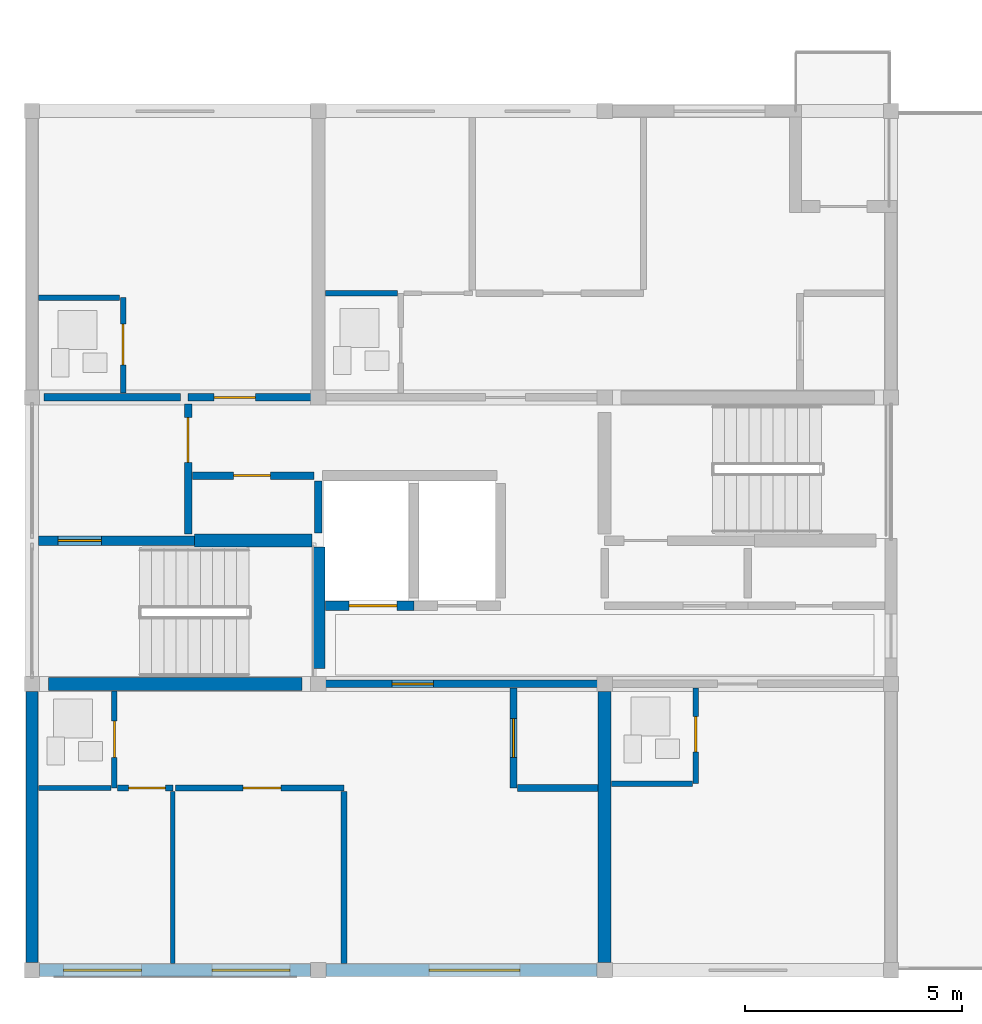
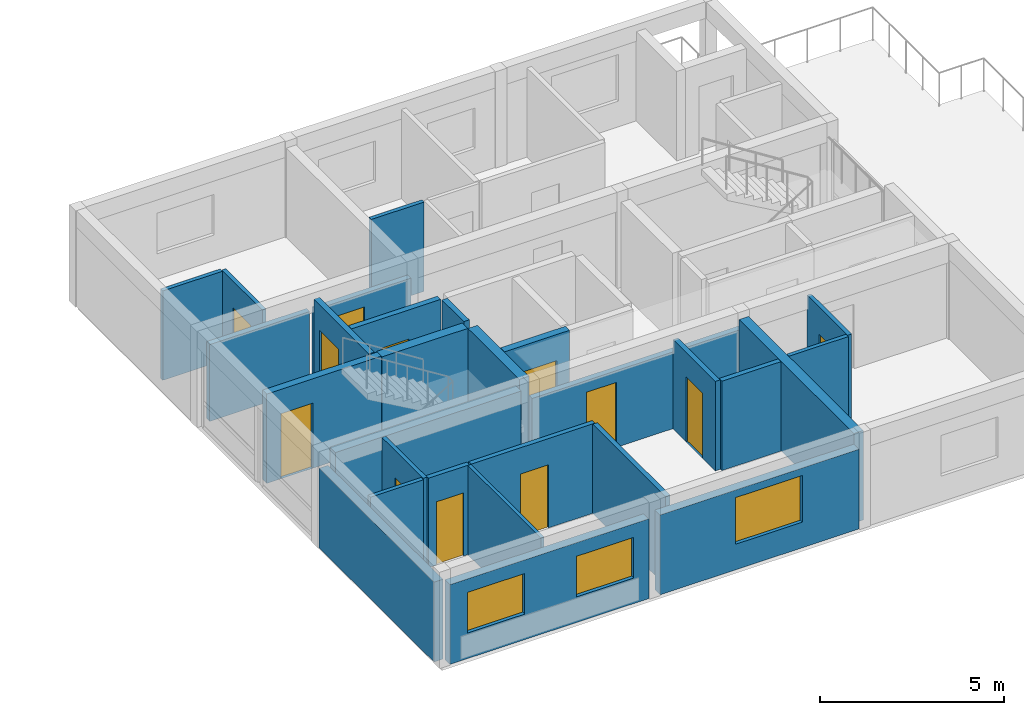
# One storey, part 25 of 46: 28 walls, 12 doors, 3 windows, 15 openings.
"""IFC4 building model written with IfcOpenShell, lengths in metres."""

import ifcopenshell
import ifcopenshell.guid

model = None  # the IFC model being written
_history = None  # IfcOwnerHistory: only IFC2X3 demands one
_inside = {}  # id of a spatial element -> (the spatial element, [elements in it])
_under = {}  # id of a project, library or spatial element -> (it, [spatial elements below it])
_declared = {}  # id of a project -> (the project, [libraries it declares])
_typed = {}  # id of a type object -> (the type object, [elements of that type])
_made_of = {}  # id of a material, layer set ... -> (it, [elements and type objects made of it])


def new_model(schema):
    """Start an empty IFC model of exactly this schema.

    Asked for "IFC4X3", IfcOpenShell would pick the latest addendum, in which some entities
    have other attributes; the version numbers below select the first issue.
    IFC2X3 requires an IfcOwnerHistory on every rooted entity: one is made here for all.
    """
    global model, _history
    if schema == "IFC4X3":
        model = ifcopenshell.file(schema_version=(4, 3, 0, 0))
    else:
        model = ifcopenshell.file(schema=schema)
    _inside.clear()
    _under.clear()
    _declared.clear()
    _typed.clear()
    _made_of.clear()
    _history = None
    if model.schema == "IFC2X3":
        org = make("IfcOrganization", Name="unknown")
        user = make(
            "IfcPersonAndOrganization",
            ThePerson=make("IfcPerson", FamilyName="unknown"),
            TheOrganization=org,
        )
        app = make(
            "IfcApplication",
            ApplicationDeveloper=org,
            Version="unknown",
            ApplicationFullName="unknown",
            ApplicationIdentifier="unknown",
        )
        _history = make(
            "IfcOwnerHistory",
            OwningUser=user,
            OwningApplication=app,
            ChangeAction="ADDED",
            CreationDate=0,
        )
    return model


def make(cls, **values):
    """One entity of the class cls with the attributes given. An attribute that is None is left unset."""
    return model.create_entity(
        cls, **{name: value for name, value in values.items() if value is not None}
    )


def rooted(cls, **values):
    """An entity with a GlobalId (a new one), such as an element, a storey or a relation."""
    return make(cls, GlobalId=ifcopenshell.guid.new(), OwnerHistory=_history, **values)


def si_unit(unit_type, name, prefix=None):
    """IfcSIUnit, for example si_unit("LENGTHUNIT", "METRE", prefix="MILLI")."""
    return make("IfcSIUnit", UnitType=unit_type, Prefix=prefix, Name=name)


def assignment(units):
    """IfcUnitAssignment: the units of a project."""
    return None if units is None else make("IfcUnitAssignment", Units=units)


def point(xyz):
    """IfcCartesianPoint."""
    return None if xyz is None else make("IfcCartesianPoint", Coordinates=xyz)


def direction(xyz):
    """IfcDirection."""
    return None if xyz is None else make("IfcDirection", DirectionRatios=xyz)


def frame(location, z_axis=None, x_axis=None):
    """IfcAxis2Placement3D, a coordinate frame: its origin and axes. An axis left out is left unset."""
    return make(
        "IfcAxis2Placement3D",
        Location=point(location),
        Axis=direction(z_axis),
        RefDirection=direction(x_axis),
    )


def frame_2d(location, x_axis=None):
    """IfcAxis2Placement2D, a coordinate frame in the plane: its origin and x axis."""
    return make(
        "IfcAxis2Placement2D", Location=point(location), RefDirection=direction(x_axis)
    )


def origin():
    """The frame at (0, 0, 0) with its axes left unset."""
    return frame((0.0, 0.0, 0.0))


def place(relative_to, where):
    """IfcLocalPlacement: puts the frame where relative to a parent placement (None: the world)."""
    return make(
        "IfcLocalPlacement", PlacementRelTo=relative_to, RelativePlacement=where
    )


def context(
    kind, dimensions, precision=None, world=None, true_north=None, identifier=None
):
    """IfcGeometricRepresentationContext, for example the 3D "Model" context."""
    return make(
        "IfcGeometricRepresentationContext",
        ContextIdentifier=identifier,
        ContextType=kind,
        CoordinateSpaceDimension=dimensions,
        Precision=precision,
        WorldCoordinateSystem=world,
        TrueNorth=true_north,
    )


def subcontext(parent, identifier, kind, view, scale=None):
    """IfcGeometricRepresentationSubContext, for example "Body" below "Model"."""
    return make(
        "IfcGeometricRepresentationSubContext",
        ContextIdentifier=identifier,
        ContextType=kind,
        ParentContext=parent,
        TargetScale=scale,
        TargetView=view,
    )


def project(units=None, contexts=None):
    """IfcProject with its units and contexts."""
    return rooted(
        "IfcProject",
        Name="project",
        RepresentationContexts=contexts,
        UnitsInContext=assignment(units),
    )


def spatial(cls, under=None, at=None, **own):
    """A site, building, storey or space (cls), placed at a placement, below another one or the project."""
    s = rooted(cls, ObjectPlacement=at, **own)
    if under is not None:
        _under.setdefault(under.id(), (under, []))[1].append(s)
    return s


def profile(cls, at=None, kind="AREA", **sizes):
    """A parametric profile (cls). Its sizes go by their IFC names, for example OverallWidth=200.0."""
    return make(cls, ProfileType=kind, Position=at, **sizes)


def rectangle(**sizes):
    """IfcRectangleProfileDef."""
    return profile("IfcRectangleProfileDef", **sizes)


def extrude(swept, where, along, depth):
    """IfcExtrudedAreaSolid: the profile swept, set in the frame where, extruded along a direction by depth."""
    return make(
        "IfcExtrudedAreaSolid",
        SweptArea=swept,
        Position=where,
        ExtrudedDirection=direction(along),
        Depth=depth,
    )


def shape(context_of_items, identifier, shape_type, items):
    """IfcShapeRepresentation: the items that make up one representation, for example the "Body"."""
    return make(
        "IfcShapeRepresentation",
        ContextOfItems=context_of_items,
        RepresentationIdentifier=identifier,
        RepresentationType=shape_type,
        Items=items,
    )


def material(Name=None, Category=None):
    """IfcMaterial."""
    return make("IfcMaterial", Name=Name, Category=Category)


def layer(
    of_material, thickness, ventilated=None, Name=None, Category=None, Priority=None
):
    """IfcMaterialLayer: one layer of a wall or slab, of a material (None: an air gap)."""
    return make(
        "IfcMaterialLayer",
        Material=of_material,
        LayerThickness=thickness,
        IsVentilated=ventilated,
        Name=Name,
        Category=Category,
        Priority=Priority,
    )


def layer_set(layers, Name=None):
    """IfcMaterialLayerSet."""
    return make("IfcMaterialLayerSet", MaterialLayers=layers, LayerSetName=Name)


def made_of(thing, what):
    """Note that an element or type object is made of a material, layer set ...; save() writes the relation."""
    if what is not None:
        _made_of.setdefault(what.id(), (what, []))[1].append(thing)
    return thing


def type_object(cls, material=None, **own):
    """A type object (cls), such as IfcWallType, which elements share."""
    return made_of(rooted(cls, **own), material)


def element(
    cls,
    number,
    at=None,
    inside=None,
    cuts=None,
    type_object=None,
    material=None,
    context=None,
    identifier="Body",
    shape_type=None,
    held_by="IfcProductDefinitionShape",
    body=None,
    shapes=None,
    **own,
):
    """One element of the class cls, such as IfcWall. Its Tag is "e" and its number.

    at: its placement. inside: the storey or other place that contains it. cuts: it is an
    opening in that element (IfcRelVoidsElement). A single representation is given by context,
    identifier, shape_type and body (its items); several are given by shapes. held_by: the class
    of the entity that holds the representations. save() writes the other relations.
    """
    e = rooted(cls, Tag="e%d" % number, ObjectPlacement=at, **own)
    if body is not None:
        shapes = [shape(context, identifier, shape_type, body)]
    if shapes is not None:
        e.Representation = make(held_by, Representations=shapes)
    if inside is not None:
        _inside.setdefault(inside.id(), (inside, []))[1].append(e)
    if cuts is not None:
        rooted(
            "IfcRelVoidsElement", RelatingBuildingElement=cuts, RelatedOpeningElement=e
        )
    if type_object is not None:
        _typed.setdefault(type_object.id(), (type_object, []))[1].append(e)
    return made_of(e, material)


def fill(opening, filler):
    """IfcRelFillsElement: the door or window that sits in an opening."""
    return rooted(
        "IfcRelFillsElement",
        RelatingOpeningElement=opening,
        RelatedBuildingElement=filler,
    )


def aggregate(whole, parts):
    """IfcRelAggregates: a whole, such as a stair, and the parts it consists of."""
    return rooted("IfcRelAggregates", RelatingObject=whole, RelatedObjects=parts)


def save(model, path):
    """Write the relations noted so far, then the file.

    IfcRelAggregates (storeys below a building ...), IfcRelContainedInSpatialStructure (elements
    in a storey), IfcRelDefinesByType, IfcRelAssociatesMaterial and IfcRelDeclares: one each for
    every whole, place, type object, material and project.
    """
    for whole, parts in _under.values():
        aggregate(whole, parts)
    for where, things in _inside.values():
        rooted(
            "IfcRelContainedInSpatialStructure",
            RelatedElements=things,
            RelatingStructure=where,
        )
    for kind, things in _typed.values():
        rooted("IfcRelDefinesByType", RelatedObjects=things, RelatingType=kind)
    for what, things in _made_of.values():
        rooted("IfcRelAssociatesMaterial", RelatedObjects=things, RelatingMaterial=what)
    for by, libraries in _declared.values():
        rooted("IfcRelDeclares", RelatingContext=by, RelatedDefinitions=libraries)
    model.write(path)


model = new_model("IFC4")

# Units and contexts
model_context = context("Model", 3, precision=1e-05, world=origin(), true_north=direction((0.0, 1.0)))
body_context = subcontext(model_context, "Body", "Model", "MODEL_VIEW")
ifc_project = project(units=[si_unit("LENGTHUNIT", "METRE"), si_unit("AREAUNIT", "SQUARE_METRE"), si_unit("VOLUMEUNIT", "CUBIC_METRE"), si_unit("PLANEANGLEUNIT", "RADIAN"), si_unit("MASSUNIT", "GRAM", prefix="KILO")], contexts=[model_context])

# Site, building, storey
site_placement = place(None, origin())
site = spatial("IfcSite", under=ifc_project, at=site_placement, CompositionType="ELEMENT")
building_placement = place(site_placement, origin())
building = spatial("IfcBuilding", under=site, at=building_placement, Name="Kernevlak Ridge Housing Community", CompositionType="ELEMENT")
storey_placement = place(building_placement, frame((0.0, 0.0, 27.60009765625)))
storey = spatial("IfcBuildingStorey", under=building, at=storey_placement, Name="L08", CompositionType="ELEMENT", Elevation=27.60009765625)

# Wall, openings, windows
ifc_material_1 = material(Name="Concrete block masonry M10", Category="masonry")
ifc_layer_1 = layer(ifc_material_1, 0.280029296875, Name="Concrete block masonry M10")
ifc_layer_set_1 = layer_set([ifc_layer_1], Name="Concrete block masonry M10")
wall_type_1 = type_object("IfcWallType", Name="EW-03", PredefinedType="STANDARD", material=ifc_layer_set_1)
wall_1_placement = place(storey_placement, frame((15.77490234375, 15.60009765625, 0.0), z_axis=(0.0, 0.0, 1.0), x_axis=(1.0, 0.0, 0.0)))
wall_1 = element("IfcWall", 1, at=wall_1_placement, inside=storey, type_object=wall_type_1, Name="Exterior wall EW-03 L08 823", PredefinedType="STANDARD", context=body_context, shape_type="SweptSolid", body=[
    extrude(rectangle(XDim=6.25, YDim=0.280029296875, at=frame_2d((3.125, 0.0))), origin(), (0.0, 0.0, 1.0), 2.64990234375),
])
opening_1_placement = place(wall_1_placement, frame((0.550048828125, 0.0, 0.85009765625)))
opening_1 = element("IfcOpeningElement", 2, at=opening_1_placement, cuts=wall_1, Name="Opening WT-03", PredefinedType="OPENING", context=body_context, shape_type="SweptSolid", body=[
    extrude(rectangle(XDim=1.800048828125, YDim=1.35009765625, at=frame_2d((0.89990234375, 0.675048828125))), frame((0.0, 0.14990234375, 0.0), z_axis=(0.0, -1.0, 0.0), x_axis=(1.0, 0.0, 0.0)), (0.0, 0.0, 1.0), 0.300048828125),
])
opening_2_placement = place(wall_1_placement, frame((3.97509765625, 0.0, 0.85009765625)))
opening_2 = element("IfcOpeningElement", 3, at=opening_2_placement, cuts=wall_1, Name="Opening WT-03", PredefinedType="OPENING", context=body_context, shape_type="SweptSolid", body=[
    extrude(rectangle(XDim=1.800048828125, YDim=1.35009765625, at=frame_2d((0.89990234375, 0.675048828125))), frame((0.0, 0.14990234375, 0.0), z_axis=(0.0, -1.0, 0.0), x_axis=(1.0, 0.0, 0.0)), (0.0, 0.0, 1.0), 0.300048828125),
])
ifc_material_2 = material(Name="Aluminium EN AW-6060 anodised and laminated glass", Category="aluminium")
window_type_1 = type_object("IfcWindowType", Name="WT-03", PartitioningType="SINGLE_PANEL", PredefinedType="WINDOW", material=ifc_material_2)
window_1_placement = place(opening_1_placement, origin())
window_1 = element("IfcWindow", 4, at=window_1_placement, inside=storey, type_object=window_type_1, Name="Window WT-03 L08 683", OverallHeight=1.35009765625, OverallWidth=1.800048828125, PartitioningType="SINGLE_PANEL", PredefinedType="WINDOW", context=body_context, shape_type="SweptSolid", body=[
    extrude(rectangle(XDim=1.800048828125, YDim=1.35009765625, at=frame_2d((0.89990234375, 0.675048828125))), frame((0.0, 0.030029296875, 0.0), z_axis=(0.0, -1.0, 0.0), x_axis=(1.0, 0.0, 0.0)), (0.0, 0.0, 1.0), 0.06005859375),
])
fill(opening_1, window_1)
window_2_placement = place(opening_2_placement, origin())
window_2 = element("IfcWindow", 5, at=window_2_placement, inside=storey, type_object=window_type_1, Name="Window WT-03 L08 684", OverallHeight=1.35009765625, OverallWidth=1.800048828125, PartitioningType="SINGLE_PANEL", PredefinedType="WINDOW", context=body_context, shape_type="SweptSolid", body=[
    extrude(rectangle(XDim=1.800048828125, YDim=1.35009765625, at=frame_2d((0.89990234375, 0.675048828125))), frame((0.0, 0.030029296875, 0.0), z_axis=(0.0, -1.0, 0.0), x_axis=(1.0, 0.0, 0.0)), (0.0, 0.0, 1.0), 0.06005859375),
])
fill(opening_2, window_2)

# Wall, opening, window
wall_2_placement = place(storey_placement, frame((22.375, 15.60009765625, 0.0), z_axis=(0.0, 0.0, 1.0), x_axis=(1.0, 0.0, 0.0)))
wall_2 = element("IfcWall", 6, at=wall_2_placement, inside=storey, type_object=wall_type_1, Name="Exterior wall EW-03 L08 824", PredefinedType="STANDARD", context=body_context, shape_type="SweptSolid", body=[
    extrude(rectangle(XDim=6.25, YDim=0.280029296875, at=frame_2d((3.125, 0.0))), origin(), (0.0, 0.0, 1.0), 2.64990234375),
])
opening_3_placement = place(wall_2_placement, frame((2.37109375, 0.0, 0.85009765625)))
opening_3 = element("IfcOpeningElement", 7, at=opening_3_placement, cuts=wall_2, Name="Opening WT-05", PredefinedType="OPENING", context=body_context, shape_type="SweptSolid", body=[
    extrude(rectangle(XDim=2.10009765625, YDim=1.550048828125, at=frame_2d((1.050048828125, 0.77490234375))), frame((0.0, 0.14990234375, 0.0), z_axis=(0.0, -1.0, 0.0), x_axis=(1.0, 0.0, 0.0)), (0.0, 0.0, 1.0), 0.300048828125),
])
window_type_2 = type_object("IfcWindowType", Name="WT-05", PartitioningType="SINGLE_PANEL", PredefinedType="WINDOW", material=ifc_material_2)
window_3_placement = place(opening_3_placement, origin())
window_3 = element("IfcWindow", 8, at=window_3_placement, inside=storey, type_object=window_type_2, Name="Window WT-05 L08 685", OverallHeight=1.550048828125, OverallWidth=2.10009765625, PartitioningType="SINGLE_PANEL", PredefinedType="WINDOW", context=body_context, shape_type="SweptSolid", body=[
    extrude(rectangle(XDim=2.10009765625, YDim=1.550048828125, at=frame_2d((1.050048828125, 0.77490234375))), frame((0.0, 0.030029296875, 0.0), z_axis=(0.0, -1.0, 0.0), x_axis=(1.0, 0.0, 0.0)), (0.0, 0.0, 1.0), 0.06005859375),
])
fill(opening_3, window_3)

# Wall
wall_3_placement = place(storey_placement, frame((15.60009765625, 15.77490234375, 0.0), z_axis=(0.0, 0.0, 1.0), x_axis=(0.0, 1.0, 0.0)))
element("IfcWall", 9, at=wall_3_placement, inside=storey, type_object=wall_type_1, Name="Exterior wall EW-03 L08 831", PredefinedType="STANDARD", context=body_context, shape_type="SweptSolid", body=[
    extrude(rectangle(XDim=6.25, YDim=0.280029296875, at=frame_2d((3.125, 0.0))), origin(), (0.0, 0.0, 1.0), 2.64990234375),
])

# Wall, opening, door
ifc_material_3 = material(Name="Concrete C35/45", Category="concrete")
ifc_layer_2 = layer(ifc_material_3, 0.22509765625, Name="Concrete C35/45")
ifc_layer_set_2 = layer_set([ifc_layer_2], Name="Concrete C35/45")
wall_type_2 = type_object("IfcWallType", Name="PW-01", PredefinedType="STANDARD", material=ifc_layer_set_2)
wall_4_placement = place(storey_placement, frame((15.75, 25.5, 0.0), z_axis=(0.0, 0.0, 1.0), x_axis=(1.0, 0.0, 0.0)))
wall_4 = element("IfcWall", 10, at=wall_4_placement, inside=storey, type_object=wall_type_2, Name="Interior wall PW-01 WAL-INT-L08-3419", PredefinedType="STANDARD", context=body_context, shape_type="SweptSolid", body=[
    extrude(rectangle(XDim=3.60009765625, YDim=0.22509765625, at=frame_2d((1.800048828125, 0.0))), origin(), (0.0, 0.0, 1.0), 2.969970703125),
])
opening_4_placement = place(wall_4_placement, frame((0.449951171875, 0.0, 0.0)))
opening_4 = element("IfcOpeningElement", 11, at=opening_4_placement, cuts=wall_4, Name="Opening E735", PredefinedType="OPENING", context=body_context, shape_type="SweptSolid", body=[
    extrude(rectangle(XDim=1.0, YDim=2.159912109375, at=frame_2d((0.5, 1.080078125))), frame((0.0, 0.12255859375, 0.0), z_axis=(0.0, -1.0, 0.0), x_axis=(1.0, 0.0, 0.0)), (0.0, 0.0, 1.0), 0.2451171875),
])
ifc_material_4 = material(Name="Fire-rated sheet steel leaf", Category="steel")
door_type_1 = type_object("IfcDoorType", Name="DT-15", OperationType="NOTDEFINED", PredefinedType="DOOR", material=ifc_material_4)
door_1_placement = place(opening_4_placement, origin())
door_1 = element("IfcDoor", 12, at=door_1_placement, inside=storey, type_object=door_type_1, Name="Block D Stair 1 fire door E735", OperationType="SINGLE_SWING_RIGHT", OverallHeight=2.159912109375, OverallWidth=1.0, PredefinedType="DOOR", context=body_context, shape_type="SweptSolid", body=[
    extrude(rectangle(XDim=1.0, YDim=2.159912109375, at=frame_2d((0.5, 1.080078125))), frame((0.0, 0.02490234375, 0.0), z_axis=(0.0, -1.0, 0.0), x_axis=(1.0, 0.0, 0.0)), (0.0, 0.0, 1.0), 0.050048828125),
])
fill(opening_4, door_1)

wall_5_placement = place(storey_placement, frame((22.360107421875, 24.0, 0.0), z_axis=(0.0, 0.0, 1.0), x_axis=(1.0, 0.0, 0.0)))
wall_5 = element("IfcWall", 13, at=wall_5_placement, inside=storey, type_object=wall_type_2, Name="Interior wall PW-01 WAL-INT-L08-3423", PredefinedType="STANDARD", context=body_context, shape_type="SweptSolid", body=[
    extrude(rectangle(XDim=2.039794921875, YDim=0.22509765625, at=frame_2d((1.02001953125, 0.0))), origin(), (0.0, 0.0, 1.0), 2.969970703125),
])
opening_5_placement = place(wall_5_placement, frame((0.550048828125, 0.0, 0.0)))
opening_5 = element("IfcOpeningElement", 14, at=opening_5_placement, cuts=wall_5, Name="Opening LD94", PredefinedType="OPENING", context=body_context, shape_type="SweptSolid", body=[
    extrude(rectangle(XDim=1.10009765625, YDim=2.10009765625, at=frame_2d((0.550048828125, 1.050048828125))), frame((0.0, 0.12255859375, 0.0), z_axis=(0.0, -1.0, 0.0), x_axis=(1.0, 0.0, 0.0)), (0.0, 0.0, 1.0), 0.2451171875),
])
ifc_material_5 = material(Name="Stainless steel EN 1.4401", Category="steel")
door_type_2 = type_object("IfcDoorType", Name="DT-LD1", OperationType="DOUBLE_DOOR_SLIDING", PredefinedType="DOOR", material=ifc_material_5)
door_2_placement = place(opening_5_placement, origin())
door_2 = element("IfcDoor", 15, at=door_2_placement, inside=storey, type_object=door_type_2, Name="Lift LF-D1 landing door LD94", OperationType="DOUBLE_DOOR_SLIDING", OverallHeight=2.10009765625, OverallWidth=1.10009765625, PredefinedType="DOOR", context=body_context, shape_type="SweptSolid", body=[
    extrude(rectangle(XDim=1.10009765625, YDim=2.10009765625, at=frame_2d((0.550048828125, 1.050048828125))), frame((0.0, 0.02490234375, 0.0), z_axis=(0.0, -1.0, 0.0), x_axis=(1.0, 0.0, 0.0)), (0.0, 0.0, 1.0), 0.050048828125),
])
fill(opening_5, door_2)

ifc_layer_3 = layer(ifc_material_1, 0.175048828125, Name="Concrete block masonry M10")
ifc_layer_set_3 = layer_set([ifc_layer_3], Name="Concrete block masonry M10")
wall_type_3 = type_object("IfcWallType", Name="PW-02", PredefinedType="PARTITIONING", material=ifc_layer_set_3)
wall_6_placement = place(storey_placement, frame((19.199951171875, 25.64990234375, 0.0), z_axis=(0.0, 0.0, 1.0), x_axis=(0.0, 1.0, 0.0)))
wall_6 = element("IfcWall", 16, at=wall_6_placement, inside=storey, type_object=wall_type_3, Name="Interior wall PW-02 WAL-INT-L08-3420", PredefinedType="PARTITIONING", context=body_context, shape_type="SweptSolid", body=[
    extrude(rectangle(XDim=3.0, YDim=0.175048828125, at=frame_2d((1.5, 0.0))), origin(), (0.0, 0.0, 1.0), 2.969970703125),
])
opening_6_placement = place(wall_6_placement, frame((1.64990234375, 0.0, 0.0)))
opening_6 = element("IfcOpeningElement", 17, at=opening_6_placement, cuts=wall_6, Name="Opening E736", PredefinedType="OPENING", context=body_context, shape_type="SweptSolid", body=[
    extrude(rectangle(XDim=1.0400390625, YDim=2.1201171875, at=frame_2d((0.52001953125, 1.06005859375))), frame((0.0, 0.097412109375, 0.0), z_axis=(0.0, -1.0, 0.0), x_axis=(1.0, 0.0, 0.0)), (0.0, 0.0, 1.0), 0.195068359375),
])
door_type_3 = type_object("IfcDoorType", Name="DT-16", OperationType="NOTDEFINED", PredefinedType="DOOR", material=ifc_material_4)
door_3_placement = place(opening_6_placement, origin())
door_3 = element("IfcDoor", 18, at=door_3_placement, inside=storey, type_object=door_type_3, Name="Block D Firefighting lobby 1 door E736", OperationType="SINGLE_SWING_LEFT", OverallHeight=2.1201171875, OverallWidth=1.0400390625, PredefinedType="DOOR", context=body_context, shape_type="SweptSolid", body=[
    extrude(rectangle(XDim=1.0400390625, YDim=2.1201171875, at=frame_2d((0.52001953125, 1.06005859375))), frame((0.0, 0.02490234375, 0.0), z_axis=(0.0, -1.0, 0.0), x_axis=(1.0, 0.0, 0.0)), (0.0, 0.0, 1.0), 0.050048828125),
])
fill(opening_6, door_3)

wall_7_placement = place(storey_placement, frame((19.300048828125, 27.0, 0.0), z_axis=(0.0, 0.0, 1.0), x_axis=(1.0, 0.0, 0.0)))
wall_7 = element("IfcWall", 19, at=wall_7_placement, inside=storey, type_object=wall_type_3, Name="Interior wall PW-02 WAL-INT-L08-3421", PredefinedType="PARTITIONING", context=body_context, shape_type="SweptSolid", body=[
    extrude(rectangle(XDim=2.800048828125, YDim=0.175048828125, at=frame_2d((1.39990234375, 0.0))), origin(), (0.0, 0.0, 1.0), 2.969970703125),
])
opening_7_placement = place(wall_7_placement, frame((0.949951171875, 0.0, 0.0)))
opening_7 = element("IfcOpeningElement", 20, at=opening_7_placement, cuts=wall_7, Name="Opening E737", PredefinedType="OPENING", context=body_context, shape_type="SweptSolid", body=[
    extrude(rectangle(XDim=0.85009765625, YDim=2.0, at=frame_2d((0.425048828125, 1.0))), frame((0.0, 0.097412109375, 0.0), z_axis=(0.0, -1.0, 0.0), x_axis=(1.0, 0.0, 0.0)), (0.0, 0.0, 1.0), 0.195068359375),
])
door_type_4 = type_object("IfcDoorType", Name="DT-07", OperationType="NOTDEFINED", PredefinedType="DOOR", material=ifc_material_4)
door_4_placement = place(opening_7_placement, origin())
door_4 = element("IfcDoor", 21, at=door_4_placement, inside=storey, type_object=door_type_4, Name="Block D Riser shaft door E737", OperationType="SINGLE_SWING_RIGHT", OverallHeight=2.0, OverallWidth=0.85009765625, PredefinedType="DOOR", context=body_context, shape_type="SweptSolid", body=[
    extrude(rectangle(XDim=0.85009765625, YDim=2.0, at=frame_2d((0.425048828125, 1.0))), frame((0.0, 0.02490234375, 0.0), z_axis=(0.0, -1.0, 0.0), x_axis=(1.0, 0.0, 0.0)), (0.0, 0.0, 1.0), 0.050048828125),
])
fill(opening_7, door_4)

# Wall
wall_8_placement = place(storey_placement, frame((22.199951171875, 25.679931640625, 0.0), z_axis=(0.0, 0.0, 1.0), x_axis=(0.0, 1.0, 0.0)))
element("IfcWall", 22, at=wall_8_placement, inside=storey, type_object=wall_type_3, Name="Interior wall PW-02 WAL-INT-L08-3422", PredefinedType="PARTITIONING", context=body_context, shape_type="SweptSolid", body=[
    extrude(rectangle(XDim=1.190185546875, YDim=0.175048828125, at=frame_2d((0.59521484375, 0.0))), origin(), (0.0, 0.0, 1.0), 2.969970703125),
])

# Wall, opening, door
wall_9_placement = place(storey_placement, frame((22.199951171875, 22.199951171875, 0.0), z_axis=(0.0, 0.0, 1.0), x_axis=(1.0, 0.0, 0.0)))
wall_9 = element("IfcWall", 23, at=wall_9_placement, inside=storey, type_object=wall_type_3, Name="Interior wall PW-02 WAL-INT-L08-3435", PredefinedType="PARTITIONING", context=body_context, shape_type="SweptSolid", body=[
    extrude(rectangle(XDim=6.60009765625, YDim=0.175048828125, at=frame_2d((3.300048828125, 0.0))), origin(), (0.0, 0.0, 1.0), 2.5498046875),
])
opening_8_placement = place(wall_9_placement, frame((1.699951171875, 0.0, 0.0)))
opening_8 = element("IfcOpeningElement", 24, at=opening_8_placement, cuts=wall_9, Name="Opening E742", PredefinedType="OPENING", context=body_context, shape_type="SweptSolid", body=[
    extrude(rectangle(XDim=0.949951171875, YDim=2.159912109375, at=frame_2d((0.47509765625, 1.080078125))), frame((0.0, 0.097412109375, 0.0), z_axis=(0.0, -1.0, 0.0), x_axis=(1.0, 0.0, 0.0)), (0.0, 0.0, 1.0), 0.195068359375),
])
ifc_material_6 = material(Name="Hardwood timber solid-core fire leaf", Category="wood")
door_type_5 = type_object("IfcDoorType", Name="DT-02", OperationType="NOTDEFINED", PredefinedType="DOOR", material=ifc_material_6)
door_5_placement = place(opening_8_placement, origin())
door_5 = element("IfcDoor", 25, at=door_5_placement, inside=storey, type_object=door_type_5, Name="Flat D0811 entrance fire door E742", OperationType="SINGLE_SWING_LEFT", OverallHeight=2.159912109375, OverallWidth=0.949951171875, PredefinedType="DOOR", context=body_context, shape_type="SweptSolid", body=[
    extrude(rectangle(XDim=0.949951171875, YDim=2.159912109375, at=frame_2d((0.47509765625, 1.080078125))), frame((0.0, 0.02490234375, 0.0), z_axis=(0.0, -1.0, 0.0), x_axis=(1.0, 0.0, 0.0)), (0.0, 0.0, 1.0), 0.050048828125),
])
fill(opening_8, door_5)

# Wall
wall_10_placement = place(storey_placement, frame((15.8798828125, 28.800048828125, 0.0), z_axis=(0.0, 0.0, 1.0), x_axis=(1.0, 0.0, 0.0)))
element("IfcWall", 26, at=wall_10_placement, inside=storey, type_object=wall_type_3, Name="Interior wall PW-02 WAL-INT-L08-3447", PredefinedType="PARTITIONING", context=body_context, shape_type="SweptSolid", body=[
    extrude(rectangle(XDim=3.14013671875, YDim=0.175048828125, at=frame_2d((1.570068359375, 0.0))), origin(), (0.0, 0.0, 1.0), 2.5498046875),
])

# Wall, opening, door
wall_11_placement = place(storey_placement, frame((19.199951171875, 28.800048828125, 0.0), z_axis=(0.0, 0.0, 1.0), x_axis=(1.0, 0.0, 0.0)))
wall_11 = element("IfcWall", 27, at=wall_11_placement, inside=storey, type_object=wall_type_3, Name="Interior wall PW-02 WAL-INT-L08-3448", PredefinedType="PARTITIONING", context=body_context, shape_type="SweptSolid", body=[
    extrude(rectangle(XDim=3.0, YDim=0.175048828125, at=frame_2d((1.5, 0.0))), origin(), (0.0, 0.0, 1.0), 2.5498046875),
])
opening_9_placement = place(wall_11_placement, frame((0.60009765625, 0.0, 0.0)))
opening_9 = element("IfcOpeningElement", 28, at=opening_9_placement, cuts=wall_11, Name="Opening E749", PredefinedType="OPENING", context=body_context, shape_type="SweptSolid", body=[
    extrude(rectangle(XDim=0.949951171875, YDim=2.10009765625, at=frame_2d((0.47509765625, 1.050048828125))), frame((0.0, 0.097412109375, 0.0), z_axis=(0.0, -1.0, 0.0), x_axis=(1.0, 0.0, 0.0)), (0.0, 0.0, 1.0), 0.195068359375),
])
door_type_6 = type_object("IfcDoorType", Name="DT-01", OperationType="NOTDEFINED", PredefinedType="DOOR", material=ifc_material_6)
door_6_placement = place(opening_9_placement, origin())
door_6 = element("IfcDoor", 29, at=door_6_placement, inside=storey, type_object=door_type_6, Name="Flat D0821 entrance fire door E749", OperationType="SINGLE_SWING_RIGHT", OverallHeight=2.10009765625, OverallWidth=0.949951171875, PredefinedType="DOOR", context=body_context, shape_type="SweptSolid", body=[
    extrude(rectangle(XDim=0.949951171875, YDim=2.10009765625, at=frame_2d((0.47509765625, 1.050048828125))), frame((0.0, 0.02490234375, 0.0), z_axis=(0.0, -1.0, 0.0), x_axis=(1.0, 0.0, 0.0)), (0.0, 0.0, 1.0), 0.050048828125),
])
fill(opening_9, door_6)

ifc_layer_4 = layer(ifc_material_1, 0.14501953125, Name="Concrete block masonry M10")
ifc_layer_set_4 = layer_set([ifc_layer_4], Name="Concrete block masonry M10")
wall_type_4 = type_object("IfcWallType", Name="PW-03", PredefinedType="PARTITIONING", material=ifc_layer_set_4)
wall_12_placement = place(storey_placement, frame((17.572509765625, 19.800048828125, 0.0), z_axis=(0.0, 0.0, 1.0), x_axis=(1.0, 0.0, 0.0)))
wall_12 = element("IfcWall", 30, at=wall_12_placement, inside=storey, type_object=wall_type_4, Name="Interior wall PW-03 WAL-INT-L08-3440", PredefinedType="PARTITIONING", context=body_context, shape_type="SweptSolid", body=[
    extrude(rectangle(XDim=1.277587890625, YDim=0.14501953125, at=frame_2d((0.638671875, 0.0))), origin(), (0.0, 0.0, 1.0), 2.969970703125),
])
opening_10_placement = place(wall_12_placement, frame((0.25, 0.0, 0.0)))
opening_10 = element("IfcOpeningElement", 31, at=opening_10_placement, cuts=wall_12, Name="Opening E745", PredefinedType="OPENING", context=body_context, shape_type="SweptSolid", body=[
    extrude(rectangle(XDim=0.85009765625, YDim=2.10009765625, at=frame_2d((0.425048828125, 1.050048828125))), frame((0.0, 0.08251953125, 0.0), z_axis=(0.0, -1.0, 0.0), x_axis=(1.0, 0.0, 0.0)), (0.0, 0.0, 1.0), 0.1650390625),
])
ifc_material_7 = material(Name="Hardwood timber leaf", Category="wood")
door_type_7 = type_object("IfcDoorType", Name="DT-03", OperationType="NOTDEFINED", PredefinedType="DOOR", material=ifc_material_7)
door_7_placement = place(opening_10_placement, origin())
door_7 = element("IfcDoor", 32, at=door_7_placement, inside=storey, type_object=door_type_7, Name="Flat D0811 bedroom door E745", OperationType="SINGLE_SWING_RIGHT", OverallHeight=2.10009765625, OverallWidth=0.85009765625, PredefinedType="DOOR", context=body_context, shape_type="SweptSolid", body=[
    extrude(rectangle(XDim=0.85009765625, YDim=2.10009765625, at=frame_2d((0.425048828125, 1.050048828125))), frame((0.0, 0.02490234375, 0.0), z_axis=(0.0, -1.0, 0.0), x_axis=(1.0, 0.0, 0.0)), (0.0, 0.0, 1.0), 0.050048828125),
])
fill(opening_10, door_7)

wall_13_placement = place(storey_placement, frame((18.91259765625, 19.800048828125, 0.0), z_axis=(0.0, 0.0, 1.0), x_axis=(1.0, 0.0, 0.0)))
wall_13 = element("IfcWall", 33, at=wall_13_placement, inside=storey, type_object=wall_type_4, Name="Interior wall PW-03 WAL-INT-L08-3442", PredefinedType="PARTITIONING", context=body_context, shape_type="SweptSolid", body=[
    extrude(rectangle(XDim=3.87939453125, YDim=0.14501953125, at=frame_2d((1.939697265625, 0.0))), origin(), (0.0, 0.0, 1.0), 2.969970703125),
])
opening_11_placement = place(wall_13_placement, frame((1.5458984375, 0.0, 0.0)))
opening_11 = element("IfcOpeningElement", 34, at=opening_11_placement, cuts=wall_13, Name="Opening E746", PredefinedType="OPENING", context=body_context, shape_type="SweptSolid", body=[
    extrude(rectangle(XDim=0.8798828125, YDim=2.10009765625, at=frame_2d((0.43994140625, 1.050048828125))), frame((0.0, 0.08251953125, 0.0), z_axis=(0.0, -1.0, 0.0), x_axis=(1.0, 0.0, 0.0)), (0.0, 0.0, 1.0), 0.1650390625),
])
door_type_8 = type_object("IfcDoorType", Name="DT-25", OperationType="NOTDEFINED", PredefinedType="DOOR", material=ifc_material_7)
door_8_placement = place(opening_11_placement, origin())
door_8 = element("IfcDoor", 35, at=door_8_placement, inside=storey, type_object=door_type_8, Name="Flat D0811 bedroom door E746", OperationType="SINGLE_SWING_LEFT", OverallHeight=2.10009765625, OverallWidth=0.8798828125, PredefinedType="DOOR", context=body_context, shape_type="SweptSolid", body=[
    extrude(rectangle(XDim=0.8798828125, YDim=2.10009765625, at=frame_2d((0.43994140625, 1.050048828125))), frame((0.0, 0.02490234375, 0.0), z_axis=(0.0, -1.0, 0.0), x_axis=(1.0, 0.0, 0.0)), (0.0, 0.0, 1.0), 0.050048828125),
])
fill(opening_11, door_8)

# Wall
wall_14_placement = place(storey_placement, frame((22.7919921875, 19.717529296875, 0.0), z_axis=(0.0, 0.0, 1.0), x_axis=(0.0, -1.0, 0.0)))
element("IfcWall", 36, at=wall_14_placement, inside=storey, type_object=wall_type_4, Name="Interior wall PW-03 WAL-INT-L08-3443", PredefinedType="PARTITIONING", context=body_context, shape_type="SweptSolid", body=[
    extrude(rectangle(XDim=3.967529296875, YDim=0.14501953125, at=frame_2d((1.98388671875, 0.0))), origin(), (0.0, 0.0, 1.0), 2.969970703125),
])

# Wall, opening, door
ifc_material_8 = material(Name="Gypsum plasterboard EN 520", Category="gypsum")
ifc_layer_5 = layer(ifc_material_8, 0.125, Name="Gypsum plasterboard EN 520")
ifc_layer_set_5 = layer_set([ifc_layer_5], Name="Gypsum plasterboard EN 520")
wall_type_5 = type_object("IfcWallType", Name="PW-04", PredefinedType="PARTITIONING", material=ifc_layer_set_5)
wall_15_placement = place(storey_placement, frame((17.5, 22.0400390625, 0.0), z_axis=(0.0, 0.0, 1.0), x_axis=(0.0, -1.0, 0.0)))
wall_15 = element("IfcWall", 37, at=wall_15_placement, inside=storey, type_object=wall_type_5, Name="Interior wall PW-04 WAL-INT-L08-3436", PredefinedType="PARTITIONING", context=body_context, shape_type="SweptSolid", body=[
    extrude(rectangle(XDim=2.239990234375, YDim=0.125, at=frame_2d((1.1201171875, 0.0))), origin(), (0.0, 0.0, 1.0), 2.969970703125),
])
opening_12_placement = place(wall_15_placement, frame((0.699951171875, 0.0, 0.0)))
opening_12 = element("IfcOpeningElement", 38, at=opening_12_placement, cuts=wall_15, Name="Opening E743", PredefinedType="OPENING", context=body_context, shape_type="SweptSolid", body=[
    extrude(rectangle(XDim=0.840087890625, YDim=2.06005859375, at=frame_2d((0.419921875, 1.030029296875))), frame((0.0, 0.072509765625, 0.0), z_axis=(0.0, -1.0, 0.0), x_axis=(1.0, 0.0, 0.0)), (0.0, 0.0, 1.0), 0.14501953125),
])
ifc_material_9 = material(Name="Hardwood timber moisture-resistant leaf", Category="wood")
door_type_9 = type_object("IfcDoorType", Name="DT-27", OperationType="NOTDEFINED", PredefinedType="DOOR", material=ifc_material_9)
door_9_placement = place(opening_12_placement, origin())
door_9 = element("IfcDoor", 39, at=door_9_placement, inside=storey, type_object=door_type_9, Name="Flat D0811 bathroom door E743", OperationType="SINGLE_SWING_RIGHT", OverallHeight=2.06005859375, OverallWidth=0.840087890625, PredefinedType="DOOR", context=body_context, shape_type="SweptSolid", body=[
    extrude(rectangle(XDim=0.840087890625, YDim=2.06005859375, at=frame_2d((0.419921875, 1.030029296875))), frame((0.0, 0.02490234375, 0.0), z_axis=(0.0, -1.0, 0.0), x_axis=(1.0, 0.0, 0.0)), (0.0, 0.0, 1.0), 0.050048828125),
])
fill(opening_12, door_9)

# Wall
wall_16_placement = place(storey_placement, frame((15.75, 19.800048828125, 0.0), z_axis=(0.0, 0.0, 1.0), x_axis=(1.0, 0.0, 0.0)))
element("IfcWall", 40, at=wall_16_placement, inside=storey, type_object=wall_type_5, Name="Interior wall PW-04 WAL-INT-L08-3437", PredefinedType="PARTITIONING", context=body_context, shape_type="SweptSolid", body=[
    extrude(rectangle(XDim=1.669921875, YDim=0.125, at=frame_2d((0.8349609375, 0.0))), origin(), (0.0, 0.0, 1.0), 2.969970703125),
])

# Wall, opening, door
wall_17_placement = place(storey_placement, frame((30.89990234375, 22.1025390625, 0.0), z_axis=(0.0, 0.0, 1.0), x_axis=(0.0, -1.0, 0.0)))
wall_17 = element("IfcWall", 41, at=wall_17_placement, inside=storey, type_object=wall_type_5, Name="Interior wall PW-04 WAL-INT-L08-3445", PredefinedType="PARTITIONING", context=body_context, shape_type="SweptSolid", body=[
    extrude(rectangle(XDim=2.20263671875, YDim=0.125, at=frame_2d((1.101318359375, 0.0))), origin(), (0.0, 0.0, 1.0), 2.969970703125),
])
opening_13_placement = place(wall_17_placement, frame((0.64990234375, 0.0, 0.0)))
opening_13 = element("IfcOpeningElement", 42, at=opening_13_placement, cuts=wall_17, Name="Opening E748", PredefinedType="OPENING", context=body_context, shape_type="SweptSolid", body=[
    extrude(rectangle(XDim=0.820068359375, YDim=2.050048828125, at=frame_2d((0.41015625, 1.02490234375))), frame((0.0, 0.072509765625, 0.0), z_axis=(0.0, -1.0, 0.0), x_axis=(1.0, 0.0, 0.0)), (0.0, 0.0, 1.0), 0.14501953125),
])
door_type_10 = type_object("IfcDoorType", Name="DT-30", OperationType="NOTDEFINED", PredefinedType="DOOR", material=ifc_material_9)
door_10_placement = place(opening_13_placement, origin())
door_10 = element("IfcDoor", 43, at=door_10_placement, inside=storey, type_object=door_type_10, Name="Flat D0812 bathroom door E748", OperationType="SINGLE_SWING_LEFT", OverallHeight=2.050048828125, OverallWidth=0.820068359375, PredefinedType="DOOR", context=body_context, shape_type="SweptSolid", body=[
    extrude(rectangle(XDim=0.820068359375, YDim=2.050048828125, at=frame_2d((0.41015625, 1.02490234375))), frame((0.0, 0.02490234375, 0.0), z_axis=(0.0, -1.0, 0.0), x_axis=(1.0, 0.0, 0.0)), (0.0, 0.0, 1.0), 0.050048828125),
])
fill(opening_13, door_10)

# Wall
wall_18_placement = place(storey_placement, frame((28.9599609375, 19.89990234375, 0.0), z_axis=(0.0, 0.0, 1.0), x_axis=(1.0, 0.0, 0.0)))
element("IfcWall", 44, at=wall_18_placement, inside=storey, type_object=wall_type_5, Name="Interior wall PW-04 WAL-INT-L08-3446", PredefinedType="PARTITIONING", context=body_context, shape_type="SweptSolid", body=[
    extrude(rectangle(XDim=1.860107421875, YDim=0.125, at=frame_2d((0.93017578125, 0.0))), origin(), (0.0, 0.0, 1.0), 2.969970703125),
])

# Wall, opening, door
wall_19_placement = place(storey_placement, frame((17.699951171875, 28.8974609375, 0.0), z_axis=(0.0, 0.0, 1.0), x_axis=(0.0, 1.0, 0.0)))
wall_19 = element("IfcWall", 45, at=wall_19_placement, inside=storey, type_object=wall_type_5, Name="Interior wall PW-04 WAL-INT-L08-3449", PredefinedType="PARTITIONING", context=body_context, shape_type="SweptSolid", body=[
    extrude(rectangle(XDim=2.20263671875, YDim=0.125, at=frame_2d((1.101318359375, 0.0))), origin(), (0.0, 0.0, 1.0), 2.969970703125),
])
opening_14_placement = place(wall_19_placement, frame((0.64990234375, 0.0, 0.0)))
opening_14 = element("IfcOpeningElement", 46, at=opening_14_placement, cuts=wall_19, Name="Opening E750", PredefinedType="OPENING", context=body_context, shape_type="SweptSolid", body=[
    extrude(rectangle(XDim=0.93994140625, YDim=2.080078125, at=frame_2d((0.469970703125, 1.0400390625))), frame((0.0, 0.072509765625, 0.0), z_axis=(0.0, -1.0, 0.0), x_axis=(1.0, 0.0, 0.0)), (0.0, 0.0, 1.0), 0.14501953125),
])
door_type_11 = type_object("IfcDoorType", Name="DT-23", OperationType="NOTDEFINED", PredefinedType="DOOR", material=ifc_material_9)
door_11_placement = place(opening_14_placement, origin())
door_11 = element("IfcDoor", 47, at=door_11_placement, inside=storey, type_object=door_type_11, Name="Flat D0821 bathroom door E750", OperationType="SINGLE_SWING_LEFT", OverallHeight=2.080078125, OverallWidth=0.93994140625, PredefinedType="DOOR", context=body_context, shape_type="SweptSolid", body=[
    extrude(rectangle(XDim=0.93994140625, YDim=2.080078125, at=frame_2d((0.469970703125, 1.0400390625))), frame((0.0, 0.02490234375, 0.0), z_axis=(0.0, -1.0, 0.0), x_axis=(1.0, 0.0, 0.0)), (0.0, 0.0, 1.0), 0.050048828125),
])
fill(opening_14, door_11)

# Walls
wall_20_placement = place(storey_placement, frame((15.75, 31.10009765625, 0.0), z_axis=(0.0, 0.0, 1.0), x_axis=(1.0, 0.0, 0.0)))
element("IfcWall", 48, at=wall_20_placement, inside=storey, type_object=wall_type_5, Name="Interior wall PW-04 WAL-INT-L08-3450", PredefinedType="PARTITIONING", context=body_context, shape_type="SweptSolid", body=[
    extrude(rectangle(XDim=1.8701171875, YDim=0.125, at=frame_2d((0.93505859375, 0.0))), origin(), (0.0, 0.0, 1.0), 2.969970703125),
])
wall_21_placement = place(storey_placement, frame((22.360107421875, 31.199951171875, 0.0), z_axis=(0.0, 0.0, 1.0), x_axis=(1.0, 0.0, 0.0)))
element("IfcWall", 49, at=wall_21_placement, inside=storey, type_object=wall_type_5, Name="Interior wall PW-04 WAL-INT-L08-3453", PredefinedType="PARTITIONING", context=body_context, shape_type="SweptSolid", body=[
    extrude(rectangle(XDim=1.659912109375, YDim=0.125, at=frame_2d((0.830078125, 0.0))), origin(), (0.0, 0.0, 1.0), 2.969970703125),
])

# Wall, opening, door
ifc_layer_6 = layer(ifc_material_8, 0.155029296875, Name="Gypsum plasterboard EN 520")
ifc_layer_set_6 = layer_set([ifc_layer_6], Name="Gypsum plasterboard EN 520")
wall_type_6 = type_object("IfcWallType", Name="PW-05", PredefinedType="PARTITIONING", material=ifc_layer_set_6)
wall_22_placement = place(storey_placement, frame((26.699951171875, 22.1025390625, 0.0), z_axis=(0.0, 0.0, 1.0), x_axis=(0.0, -1.0, 0.0)))
wall_22 = element("IfcWall", 50, at=wall_22_placement, inside=storey, type_object=wall_type_6, Name="Interior wall PW-05 WAL-INT-L08-3438", PredefinedType="PARTITIONING", context=body_context, shape_type="SweptSolid", body=[
    extrude(rectangle(XDim=2.302490234375, YDim=0.155029296875, at=frame_2d((1.1513671875, 0.0))), origin(), (0.0, 0.0, 1.0), 2.969970703125),
])
opening_15_placement = place(wall_22_placement, frame((0.699951171875, 0.0, 0.0)))
opening_15 = element("IfcOpeningElement", 51, at=opening_15_placement, cuts=wall_22, Name="Opening E744", PredefinedType="OPENING", context=body_context, shape_type="SweptSolid", body=[
    extrude(rectangle(XDim=0.89990234375, YDim=2.159912109375, at=frame_2d((0.449951171875, 1.080078125))), frame((0.0, 0.08740234375, 0.0), z_axis=(0.0, -1.0, 0.0), x_axis=(1.0, 0.0, 0.0)), (0.0, 0.0, 1.0), 0.175048828125),
])
door_type_12 = type_object("IfcDoorType", Name="DT-22", OperationType="NOTDEFINED", PredefinedType="DOOR", material=ifc_material_7)
door_12_placement = place(opening_15_placement, origin())
door_12 = element("IfcDoor", 52, at=door_12_placement, inside=storey, type_object=door_type_12, Name="Flat D0811 kitchen door E744", OperationType="SINGLE_SWING_LEFT", OverallHeight=2.159912109375, OverallWidth=0.89990234375, PredefinedType="DOOR", context=body_context, shape_type="SweptSolid", body=[
    extrude(rectangle(XDim=0.89990234375, YDim=2.159912109375, at=frame_2d((0.449951171875, 1.080078125))), frame((0.0, 0.02490234375, 0.0), z_axis=(0.0, -1.0, 0.0), x_axis=(1.0, 0.0, 0.0)), (0.0, 0.0, 1.0), 0.050048828125),
])
fill(opening_15, door_12)

# Walls
wall_23_placement = place(storey_placement, frame((26.78759765625, 19.800048828125, 0.0), z_axis=(0.0, 0.0, 1.0), x_axis=(1.0, 0.0, 0.0)))
element("IfcWall", 53, at=wall_23_placement, inside=storey, type_object=wall_type_6, Name="Interior wall PW-05 WAL-INT-L08-3439", PredefinedType="PARTITIONING", context=body_context, shape_type="SweptSolid", body=[
    extrude(rectangle(XDim=1.852294921875, YDim=0.155029296875, at=frame_2d((0.92626953125, 0.0))), origin(), (0.0, 0.0, 1.0), 2.969970703125),
])
ifc_layer_7 = layer(ifc_material_8, 0.10498046875, Name="Gypsum plasterboard EN 520")
ifc_layer_set_7 = layer_set([ifc_layer_7], Name="Gypsum plasterboard EN 520")
wall_type_7 = type_object("IfcWallType", Name="PW-06", PredefinedType="PARTITIONING", material=ifc_layer_set_7)
wall_24_placement = place(storey_placement, frame((18.85009765625, 19.717529296875, 0.0), z_axis=(0.0, 0.0, 1.0), x_axis=(0.0, -1.0, 0.0)))
element("IfcWall", 54, at=wall_24_placement, inside=storey, type_object=wall_type_7, Name="Interior wall PW-06 WAL-INT-L08-3441", PredefinedType="PARTITIONING", context=body_context, shape_type="SweptSolid", body=[
    extrude(rectangle(XDim=3.967529296875, YDim=0.10498046875, at=frame_2d((1.98388671875, 0.0))), origin(), (0.0, 0.0, 1.0), 2.969970703125),
])
ifc_material_10 = material(Name="Concrete C40/50", Category="concrete")
ifc_layer_8 = layer(ifc_material_10, 0.300048828125, Name="Concrete C40/50")
ifc_layer_set_8 = layer_set([ifc_layer_8], Name="Concrete C40/50")
wall_type_8 = type_object("IfcWallType", Name="SW-02", PredefinedType="SHEAR", material=ifc_layer_set_8)
wall_25_placement = place(storey_placement, frame((15.97998046875, 22.199951171875, 0.0), z_axis=(0.0, 0.0, 1.0), x_axis=(1.0, 0.0, 0.0)))
element("IfcWall", 55, at=wall_25_placement, inside=storey, type_object=wall_type_8, Name="Shear wall SW-02 Block D L08 587", PredefinedType="SHEAR", context=body_context, shape_type="SweptSolid", body=[
    extrude(rectangle(XDim=5.840087890625, YDim=0.300048828125, at=frame_2d((2.919921875, 0.0))), origin(), (0.0, 0.0, 1.0), 2.969970703125),
])
wall_26_placement = place(storey_placement, frame((19.35009765625, 25.5, 0.0), z_axis=(0.0, 0.0, 1.0), x_axis=(1.0, 0.0, 0.0)))
element("IfcWall", 56, at=wall_26_placement, inside=storey, type_object=wall_type_8, Name="Shear wall SW-02 Block D L08 588", PredefinedType="SHEAR", context=body_context, shape_type="SweptSolid", body=[
    extrude(rectangle(XDim=2.699951171875, YDim=0.300048828125, at=frame_2d((1.35009765625, 0.0))), origin(), (0.0, 0.0, 1.0), 2.969970703125),
])
wall_27_placement = place(storey_placement, frame((22.199951171875, 22.550048828125, 0.0), z_axis=(0.0, 0.0, 1.0), x_axis=(0.0, 1.0, 0.0)))
element("IfcWall", 57, at=wall_27_placement, inside=storey, type_object=wall_type_8, Name="Shear wall SW-02 Block D L08 589", PredefinedType="SHEAR", context=body_context, shape_type="SweptSolid", body=[
    extrude(rectangle(XDim=2.800048828125, YDim=0.300048828125, at=frame_2d((1.39990234375, 0.0))), origin(), (0.0, 0.0, 1.0), 2.969970703125),
])
wall_28_placement = place(storey_placement, frame((28.800048828125, 15.77490234375, 0.0), z_axis=(0.0, 0.0, 1.0), x_axis=(0.0, 1.0, 0.0)))
element("IfcWall", 58, at=wall_28_placement, inside=storey, type_object=wall_type_8, Name="Shear wall SW-02 Block D L08 593", PredefinedType="SHEAR", context=body_context, shape_type="SweptSolid", body=[
    extrude(rectangle(XDim=6.25, YDim=0.300048828125, at=frame_2d((3.125, 0.0))), origin(), (0.0, 0.0, 1.0), 2.969970703125),
])

save(model, "model.ifc")
